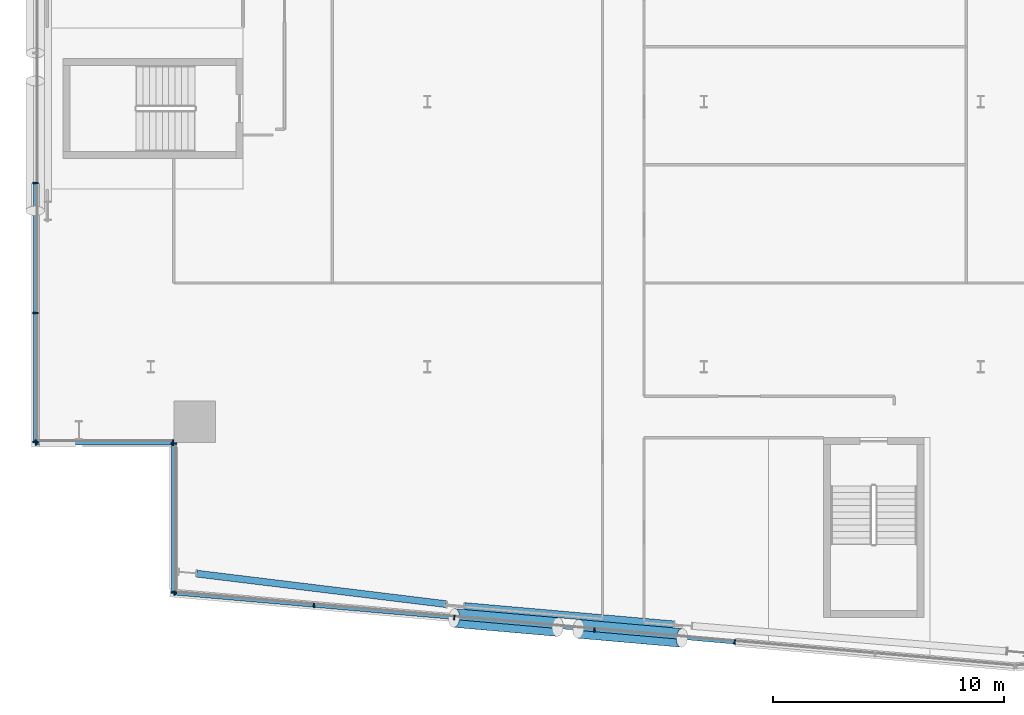
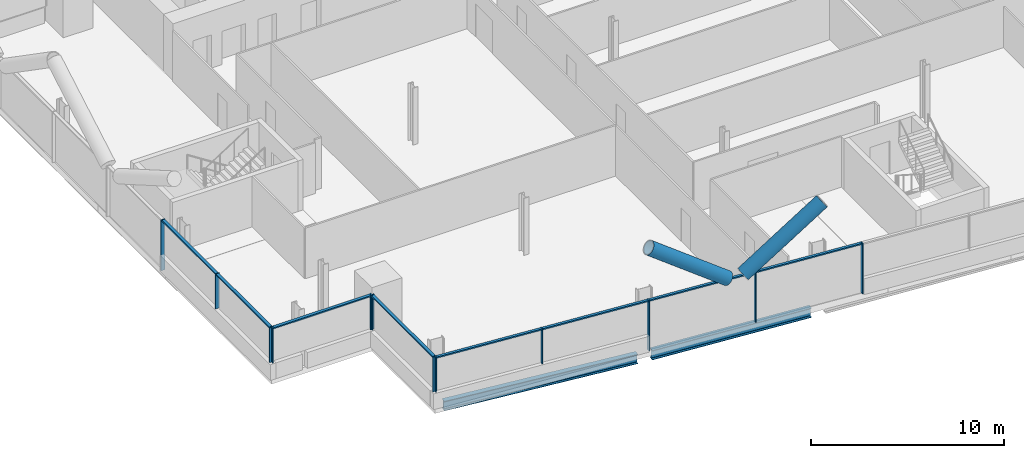
# One storey, part 5 of 27: 22 members, 2 beams, 4 elements without a shape of their own.
"""IFC4 building model written with IfcOpenShell, lengths in metres."""

from ifc_helpers import new_model, si_unit, direction, frame, origin, origin_2d, place, context, subcontext, project, spatial, rectangle, hollow_circle, i_section, extrude, material, material_profile, profile_set, type_object, element, aggregate, save


model = new_model("IFC4")

# Units and contexts
model_context = context("Model", 3, precision=1e-05, world=origin(), true_north=direction((0.0, 1.0)))
body_context = subcontext(model_context, "Body", "Model", "MODEL_VIEW")
ifc_project = project(units=[si_unit("LENGTHUNIT", "METRE"), si_unit("AREAUNIT", "SQUARE_METRE"), si_unit("VOLUMEUNIT", "CUBIC_METRE"), si_unit("PLANEANGLEUNIT", "RADIAN"), si_unit("MASSUNIT", "GRAM", prefix="KILO")], contexts=[model_context])

# Site, building, storey
site_placement = place(None, origin())
site = spatial("IfcSite", under=ifc_project, at=site_placement, CompositionType="ELEMENT")
building_placement = place(site_placement, origin())
building = spatial("IfcBuilding", under=site, at=building_placement, Name="Wharfspan Tower", CompositionType="ELEMENT")
storey_placement = place(building_placement, frame((0.0, 0.0, 111.100098)))
storey = spatial("IfcBuildingStorey", under=building, at=storey_placement, Name="L25", CompositionType="ELEMENT", Elevation=111.100098)

# Beams
ifc_material_1 = material(Name="Steel S355J2", Category="steel")
ifc_material_profile_1 = material_profile(ifc_material_1, i_section(OverallWidth=0.300049, OverallDepth=0.600098, WebThickness=0.015381, FlangeThickness=0.030029, FilletRadius=0.0271, at=origin_2d()))
ifc_profile_set_1 = profile_set([ifc_material_profile_1], Name="Steel S355J2")
beam_type = type_object("IfcBeamType", Name="Edge beam HEB 600", PredefinedType="SPANDREL", material=ifc_profile_set_1)
beam_1_placement = place(storey_placement, frame((13.990967, 2.520508, -0.700195), z_axis=(0.992611, -0.121342, 0.0), x_axis=(0.121342, 0.992611, 0.0)))
element("IfcBeam", 1, at=beam_1_placement, inside=storey, type_object=beam_type, Name="Edge beam S1 L25 PS1.1 to PS1.2", PredefinedType="SPANDREL", context=body_context, shape_type="SweptSolid", body=[
    extrude(i_section(OverallWidth=0.300049, OverallDepth=0.600098, WebThickness=0.015381, FlangeThickness=0.030029, FilletRadius=0.0271, at=origin_2d()), origin(), (0.0, 0.0, 1.0), 10.903076),
])
beam_2_placement = place(storey_placement, frame((25.615234, 1.113525, -0.700195), z_axis=(0.996195, -0.087151, 0.0), x_axis=(0.087151, 0.996195, 0.0)))
element("IfcBeam", 2, at=beam_2_placement, inside=storey, type_object=beam_type, Name="Edge beam S1 L25 PS1.2 to PS1.3", PredefinedType="SPANDREL", context=body_context, shape_type="SweptSolid", body=[
    extrude(i_section(OverallWidth=0.300049, OverallDepth=0.600098, WebThickness=0.015381, FlangeThickness=0.030029, FilletRadius=0.0271, at=origin_2d()), origin(), (0.0, 0.0, 1.0), 9.107178),
])

# Curtain wall, members
ifc_material_2 = material(Name="Aluminium 6063-T6", Category="aluminium")
curtain_wall_type_1 = type_object("IfcCurtainWallType", Name="CURTAIN WALL FACETED FRONT", PredefinedType="NOTDEFINED", material=ifc_material_2)
curtain_wall_1_placement = place(storey_placement, origin())
curtain_wall_1 = element("IfcCurtainWall", 3, at=curtain_wall_1_placement, inside=storey, type_object=curtain_wall_type_1, Name="Curtain wall S1", PredefinedType="NOTDEFINED")
ifc_material_profile_2 = material_profile(ifc_material_2, rectangle(XDim=0.199951, YDim=0.060059, at=origin_2d()))
ifc_profile_set_2 = profile_set([ifc_material_profile_2], Name="Aluminium 6063-T6")
member_type_1 = type_object("IfcMemberType", Name="MULLION FACETED FRONT 60x200", PredefinedType="MULLION", material=ifc_profile_set_2)
member_1_placement = place(storey_placement, frame((13.029785, 1.672363, 1.0), z_axis=(0.0, 0.0, 1.0), x_axis=(0.087156, 0.996198, 0.0)))
member_1 = element("IfcMember", 4, at=member_1_placement, type_object=member_type_1, Name="Curtain wall S1 mullion 1", PredefinedType="MULLION", context=body_context, shape_type="SweptSolid", body=[
    extrude(rectangle(XDim=0.199951, YDim=0.060059, at=origin_2d()), origin(), (0.0, 0.0, 1.0), 2.199951),
])
member_2_placement = place(storey_placement, frame((19.083252, 1.142822, 1.0), z_axis=(0.0, 0.0, 1.0), x_axis=(0.087156, 0.996198, 0.0)))
member_2 = element("IfcMember", 5, at=member_2_placement, type_object=member_type_1, Name="Curtain wall S1 mullion 2", PredefinedType="MULLION", context=body_context, shape_type="SweptSolid", body=[
    extrude(rectangle(XDim=0.199951, YDim=0.060059, at=origin_2d()), origin(), (0.0, 0.0, 1.0), 2.199951),
])
member_3_placement = place(storey_placement, frame((25.166748, 0.610596, 0.0), z_axis=(0.0, 0.0, 1.0), x_axis=(0.087156, 0.996198, 0.0)))
member_3 = element("IfcMember", 6, at=member_3_placement, type_object=member_type_1, Name="Curtain wall S1 mullion 3", PredefinedType="MULLION", context=body_context, shape_type="SweptSolid", body=[
    extrude(rectangle(XDim=0.199951, YDim=0.060059, at=origin_2d()), origin(), (0.0, 0.0, 1.0), 3.199951),
])
member_4_placement = place(storey_placement, frame((31.25, 0.078369, 0.0), z_axis=(0.0, 0.0, 1.0), x_axis=(0.087156, 0.996198, 0.0)))
member_4 = element("IfcMember", 7, at=member_4_placement, type_object=member_type_1, Name="Curtain wall S1 mullion 4", PredefinedType="MULLION", context=body_context, shape_type="SweptSolid", body=[
    extrude(rectangle(XDim=0.199951, YDim=0.060059, at=origin_2d()), origin(), (0.0, 0.0, 1.0), 3.199951),
])
member_5_placement = place(storey_placement, frame((37.333252, -0.453857, 0.0), z_axis=(0.0, 0.0, 1.0), x_axis=(0.087156, 0.996198, 0.0)))
member_5 = element("IfcMember", 8, at=member_5_placement, type_object=member_type_1, Name="Curtain wall S1 mullion 5", PredefinedType="MULLION", context=body_context, shape_type="SweptSolid", body=[
    extrude(rectangle(XDim=0.199951, YDim=0.060059, at=origin_2d()), origin(), (0.0, 0.0, 1.0), 3.199951),
])

curtain_wall_type_2 = type_object("IfcCurtainWallType", Name="CURTAIN WALL PROW AND END", PredefinedType="NOTDEFINED", material=ifc_material_2)
curtain_wall_2_placement = place(storey_placement, origin())
curtain_wall_2 = element("IfcCurtainWall", 9, at=curtain_wall_2_placement, inside=storey, type_object=curtain_wall_type_2, Name="Curtain wall W", PredefinedType="NOTDEFINED")
ifc_material_profile_3 = material_profile(ifc_material_2, rectangle(XDim=0.23999, YDim=0.060059, at=origin_2d()))
ifc_profile_set_3 = profile_set([ifc_material_profile_3], Name="Aluminium 6063-T6")
member_type_2 = type_object("IfcMemberType", Name="MULLION PROW AND END 60x240", PredefinedType="MULLION", material=ifc_profile_set_3)
member_6_placement = place(storey_placement, frame((7.0, 19.466553, 0.0), z_axis=(0.0, 0.0, 1.0), x_axis=(1.0, 0.0, 0.0)))
member_6 = element("IfcMember", 10, at=member_6_placement, type_object=member_type_2, Name="Curtain wall W mullion 5", PredefinedType="MULLION", context=body_context, shape_type="SweptSolid", body=[
    extrude(rectangle(XDim=0.23999, YDim=0.060059, at=origin_2d()), origin(), (0.0, 0.0, 1.0), 3.199951),
])
member_7_placement = place(storey_placement, frame((7.0, 13.833252, 1.0), z_axis=(0.0, 0.0, 1.0), x_axis=(1.0, 0.0, 0.0)))
member_7 = element("IfcMember", 11, at=member_7_placement, type_object=member_type_2, Name="Curtain wall W mullion 6", PredefinedType="MULLION", context=body_context, shape_type="SweptSolid", body=[
    extrude(rectangle(XDim=0.23999, YDim=0.060059, at=origin_2d()), origin(), (0.0, 0.0, 1.0), 2.199951),
])
member_8_placement = place(storey_placement, frame((7.0, 8.22998, 1.0), z_axis=(0.0, 0.0, 1.0), x_axis=(1.0, 0.0, 0.0)))
member_8 = element("IfcMember", 12, at=member_8_placement, type_object=member_type_2, Name="Curtain wall W mullion 7", PredefinedType="MULLION", context=body_context, shape_type="SweptSolid", body=[
    extrude(rectangle(XDim=0.23999, YDim=0.060059, at=origin_2d()), origin(), (0.0, 0.0, 1.0), 2.199951),
])

curtain_wall_3_placement = place(storey_placement, origin())
curtain_wall_3 = element("IfcCurtainWall", 13, at=curtain_wall_3_placement, inside=storey, type_object=curtain_wall_type_2, Name="Curtain wall NFW-H", PredefinedType="NOTDEFINED")
member_9_placement = place(storey_placement, frame((7.030029, 8.199951, 1.0), z_axis=(0.0, 0.0, 1.0), x_axis=(0.0, 1.0, 0.0)))
member_9 = element("IfcMember", 14, at=member_9_placement, type_object=member_type_2, Name="Curtain wall NFW-H mullion 1", PredefinedType="MULLION", context=body_context, shape_type="SweptSolid", body=[
    extrude(rectangle(XDim=0.23999, YDim=0.060059, at=origin_2d()), origin(), (0.0, 0.0, 1.0), 2.199951),
])
member_10_placement = place(storey_placement, frame((12.969971, 8.199951, 1.0), z_axis=(0.0, 0.0, 1.0), x_axis=(0.0, 1.0, 0.0)))
member_10 = element("IfcMember", 15, at=member_10_placement, type_object=member_type_2, Name="Curtain wall NFW-H mullion 2", PredefinedType="MULLION", context=body_context, shape_type="SweptSolid", body=[
    extrude(rectangle(XDim=0.23999, YDim=0.060059, at=origin_2d()), origin(), (0.0, 0.0, 1.0), 2.199951),
])

curtain_wall_4_placement = place(storey_placement, origin())
curtain_wall_4 = element("IfcCurtainWall", 16, at=curtain_wall_4_placement, inside=storey, type_object=curtain_wall_type_2, Name="Curtain wall NFW-V", PredefinedType="NOTDEFINED")
member_11_placement = place(storey_placement, frame((13.0, 8.169922, 1.0), z_axis=(0.0, 0.0, 1.0), x_axis=(1.0, 0.0, 0.0)))
member_11 = element("IfcMember", 17, at=member_11_placement, type_object=member_type_2, Name="Curtain wall NFW-V mullion 1", PredefinedType="MULLION", context=body_context, shape_type="SweptSolid", body=[
    extrude(rectangle(XDim=0.23999, YDim=0.060059, at=origin_2d()), origin(), (0.0, 0.0, 1.0), 2.199951),
])
member_12_placement = place(storey_placement, frame((13.0, 1.705078, 1.0), z_axis=(0.0, 0.0, 1.0), x_axis=(1.0, 0.0, 0.0)))
member_12 = element("IfcMember", 18, at=member_12_placement, type_object=member_type_2, Name="Curtain wall NFW-V mullion 2", PredefinedType="MULLION", context=body_context, shape_type="SweptSolid", body=[
    extrude(rectangle(XDim=0.23999, YDim=0.060059, at=origin_2d()), origin(), (0.0, 0.0, 1.0), 2.199951),
])

# Members
ifc_material_3 = material(Name="Steel S460NH", Category="steel")
ifc_material_profile_4 = material_profile(ifc_material_3, hollow_circle(Radius=0.406494, WallThickness=0.040039, at=origin_2d()))
ifc_profile_set_4 = profile_set([ifc_material_profile_4], Name="Steel S460NH")
member_type_3 = type_object("IfcMemberType", Name="Mega brace CHS 813x40", PredefinedType="BRACE", material=ifc_profile_set_4)
member_13_placement = place(storey_placement, frame((30.551514, 0.124512, 3.226807), z_axis=(0.806015, -0.070528, 0.587679), x_axis=(0.087171, 0.996191, -3e-06)))
element("IfcMember", 19, at=member_13_placement, inside=storey, type_object=member_type_3, Name="Mega brace S1 L25 part 2", PredefinedType="BRACE", context=body_context, shape_type="SweptSolid", body=[
    extrude(hollow_circle(Radius=0.406494, WallThickness=0.040039, at=origin_2d()), origin(), (0.0, 0.0, 1.0), 5.56958),
])
member_14_placement = place(storey_placement, frame((29.654785, 0.202881, 3.226807), z_axis=(-0.80603, 0.070526, 0.587658), x_axis=(-0.087167, -0.996192, -3e-06)))
element("IfcMember", 20, at=member_14_placement, inside=storey, type_object=member_type_3, Name="Mega brace S1 L25 part 4", PredefinedType="BRACE", context=body_context, shape_type="SweptSolid", body=[
    extrude(hollow_circle(Radius=0.406494, WallThickness=0.040039, at=origin_2d()), origin(), (0.0, 0.0, 1.0), 5.569824),
])

# Member
ifc_material_profile_5 = material_profile(ifc_material_2, rectangle(XDim=0.159912, YDim=0.080078, at=origin_2d()))
ifc_profile_set_5 = profile_set([ifc_material_profile_5], Name="Aluminium 6063-T6")
member_type_4 = type_object("IfcMemberType", Name="TRANSOM FACETED FRONT 80x160", PredefinedType="USERDEFINED", material=ifc_profile_set_5)
member_15_placement = place(storey_placement, frame((13.059814, 1.669922, 3.159912), z_axis=(0.996194, -0.087162, 0.0), x_axis=(0.087162, 0.996194, 0.0)))
member_15 = element("IfcMember", 21, at=member_15_placement, type_object=member_type_4, Name="Curtain wall S1 transom 1", ObjectType="TRANSOM", PredefinedType="USERDEFINED", context=body_context, shape_type="SweptSolid", body=[
    extrude(rectangle(XDim=0.159912, YDim=0.080078, at=origin_2d()), origin(), (0.0, 0.0, 1.0), 6.016602),
])

member_16_placement = place(storey_placement, frame((19.113281, 1.140137, 3.159912), z_axis=(0.996197, -0.087135, 0.0), x_axis=(0.087135, 0.996197, 0.0)))
member_16 = element("IfcMember", 22, at=member_16_placement, type_object=member_type_4, Name="Curtain wall S1 transom 2", ObjectType="TRANSOM", PredefinedType="USERDEFINED", context=body_context, shape_type="SweptSolid", body=[
    extrude(rectangle(XDim=0.159912, YDim=0.080078, at=origin_2d()), origin(), (0.0, 0.0, 1.0), 6.046387),
])

member_17_placement = place(storey_placement, frame((25.196533, 0.60791, 3.159912), z_axis=(0.996197, -0.087131, 0.0), x_axis=(0.087131, 0.996197, 0.0)))
member_17 = element("IfcMember", 23, at=member_17_placement, type_object=member_type_4, Name="Curtain wall S1 transom 3", ObjectType="TRANSOM", PredefinedType="USERDEFINED", context=body_context, shape_type="SweptSolid", body=[
    extrude(rectangle(XDim=0.159912, YDim=0.080078, at=origin_2d()), origin(), (0.0, 0.0, 1.0), 6.046631),
])

member_18_placement = place(storey_placement, frame((31.279785, 0.075684, 3.159912), z_axis=(0.996197, -0.087131, 0.0), x_axis=(0.087131, 0.996197, 0.0)))
member_18 = element("IfcMember", 24, at=member_18_placement, type_object=member_type_4, Name="Curtain wall S1 transom 4", ObjectType="TRANSOM", PredefinedType="USERDEFINED", context=body_context, shape_type="SweptSolid", body=[
    extrude(rectangle(XDim=0.159912, YDim=0.080078, at=origin_2d()), origin(), (0.0, 0.0, 1.0), 6.046631),
])

aggregate(curtain_wall_1, [member_1, member_2, member_3, member_4, member_5, member_15, member_16, member_17, member_18])

ifc_material_profile_6 = material_profile(ifc_material_2, rectangle(XDim=0.179932, YDim=0.080078, at=origin_2d()))
ifc_profile_set_6 = profile_set([ifc_material_profile_6], Name="Aluminium 6063-T6")
member_type_5 = type_object("IfcMemberType", Name="TRANSOM PROW AND END 80x180", PredefinedType="USERDEFINED", material=ifc_profile_set_6)
member_19_placement = place(storey_placement, frame((7.0, 19.436768, 3.159912), z_axis=(0.0, -1.0, 0.0), x_axis=(1.0, 0.0, 0.0)))
member_19 = element("IfcMember", 25, at=member_19_placement, type_object=member_type_5, Name="Curtain wall W transom 5", ObjectType="TRANSOM", PredefinedType="USERDEFINED", context=body_context, shape_type="SweptSolid", body=[
    extrude(rectangle(XDim=0.179932, YDim=0.080078, at=origin_2d()), origin(), (0.0, 0.0, 1.0), 5.573486),
])

member_20_placement = place(storey_placement, frame((7.0, 13.803223, 3.159912), z_axis=(0.0, -1.0, 0.0), x_axis=(1.0, 0.0, 0.0)))
member_20 = element("IfcMember", 26, at=member_20_placement, type_object=member_type_5, Name="Curtain wall W transom 6", ObjectType="TRANSOM", PredefinedType="USERDEFINED", context=body_context, shape_type="SweptSolid", body=[
    extrude(rectangle(XDim=0.179932, YDim=0.080078, at=origin_2d()), origin(), (0.0, 0.0, 1.0), 5.543213),
])

aggregate(curtain_wall_2, [member_6, member_7, member_8, member_19, member_20])

member_21_placement = place(storey_placement, frame((7.060059, 8.199951, 3.159912), z_axis=(1.0, 0.0, 0.0), x_axis=(0.0, 1.0, 0.0)))
member_21 = element("IfcMember", 27, at=member_21_placement, type_object=member_type_5, Name="Curtain wall NFW-H transom 1", ObjectType="TRANSOM", PredefinedType="USERDEFINED", context=body_context, shape_type="SweptSolid", body=[
    extrude(rectangle(XDim=0.179932, YDim=0.080078, at=origin_2d()), origin(), (0.0, 0.0, 1.0), 5.879883),
])

aggregate(curtain_wall_3, [member_9, member_10, member_21])

member_22_placement = place(storey_placement, frame((13.0, 8.139893, 3.159912), z_axis=(0.0, -1.0, 0.0), x_axis=(1.0, 0.0, 0.0)))
member_22 = element("IfcMember", 28, at=member_22_placement, type_object=member_type_5, Name="Curtain wall NFW-V transom 1", ObjectType="TRANSOM", PredefinedType="USERDEFINED", context=body_context, shape_type="SweptSolid", body=[
    extrude(rectangle(XDim=0.179932, YDim=0.080078, at=origin_2d()), origin(), (0.0, 0.0, 1.0), 6.404785),
])

aggregate(curtain_wall_4, [member_11, member_12, member_22])

save(model, "model.ifc")
